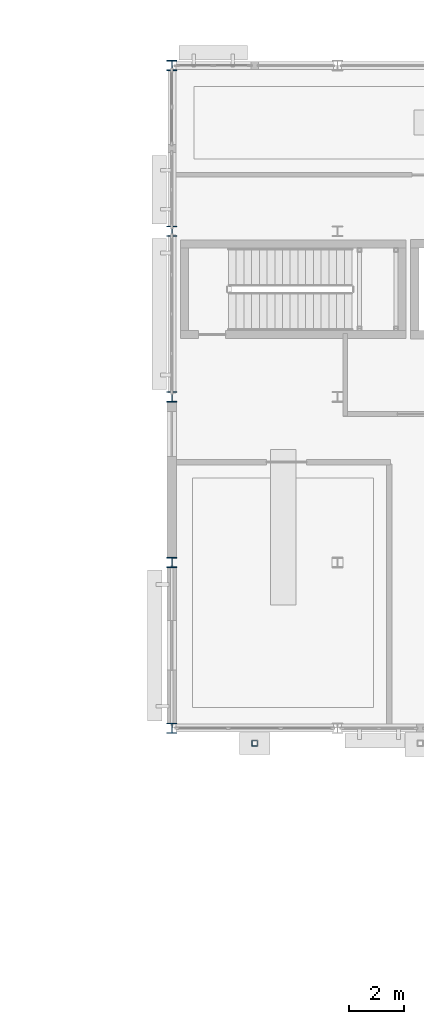
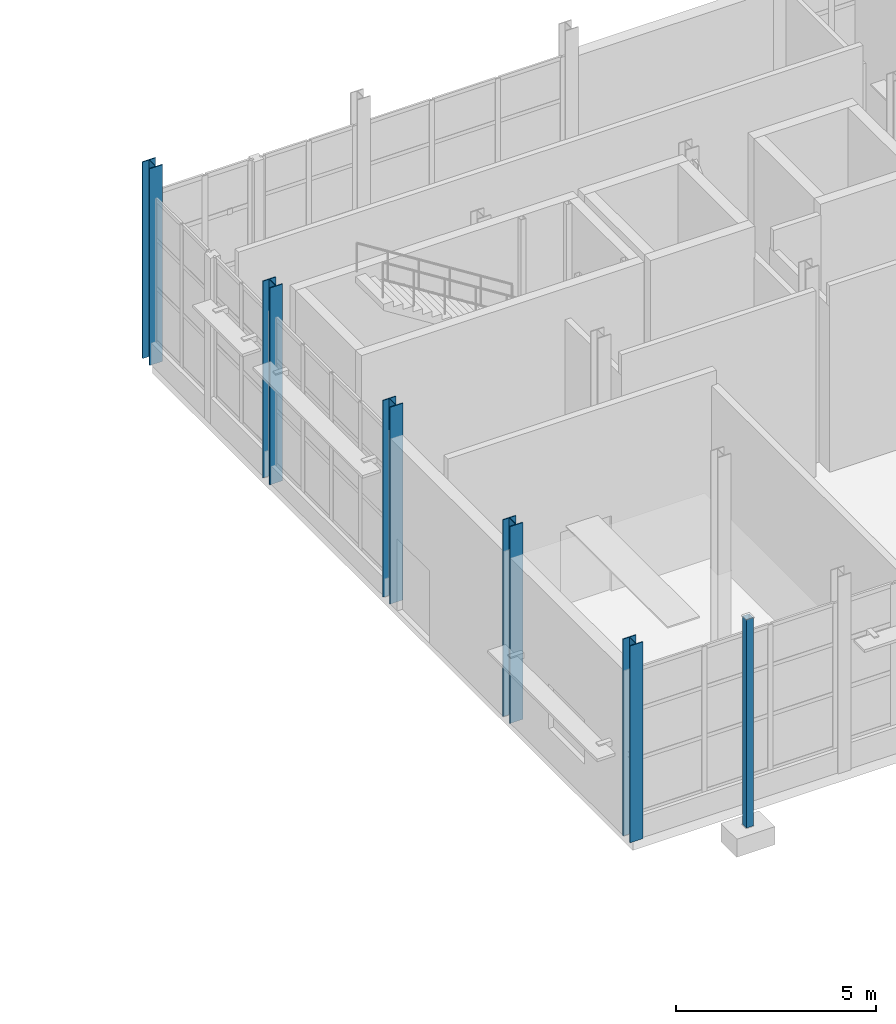
# One storey, part 23 of 120: 6 columns.
"""IFC4 building model written with IfcOpenShell, lengths in metres."""

from ifc_helpers import new_model, si_unit, direction, frame, origin, origin_2d, place, context, subcontext, project, spatial, hollow_rectangle, i_section, extrude, material, material_profile, profile_set, type_object, element, save


model = new_model("IFC4")

# Units and contexts
model_context = context("Model", 3, precision=1e-05, world=origin(), true_north=direction((0.0, 1.0)))
body_context = subcontext(model_context, "Body", "Model", "MODEL_VIEW")
ifc_project = project(units=[si_unit("LENGTHUNIT", "METRE"), si_unit("AREAUNIT", "SQUARE_METRE"), si_unit("VOLUMEUNIT", "CUBIC_METRE"), si_unit("PLANEANGLEUNIT", "RADIAN"), si_unit("MASSUNIT", "GRAM", prefix="KILO")], contexts=[model_context])

# Site, building, storey
site_placement = place(None, origin())
site = spatial("IfcSite", under=ifc_project, at=site_placement, CompositionType="ELEMENT")
building_placement = place(site_placement, origin())
building = spatial("IfcBuilding", under=site, at=building_placement, Name="Siltcreek Boulevard Central Fire Station", CompositionType="ELEMENT")
storey_placement = place(building_placement, origin())
storey = spatial("IfcBuildingStorey", under=building, at=storey_placement, Name="L01", CompositionType="ELEMENT", Elevation=0.0)

# Columns
ifc_material_1 = material(Name="Structural steel ASTM A992 Gr50", Category="steel")
ifc_material_profile_1 = material_profile(ifc_material_1, i_section(OverallWidth=0.3740234375, OverallDepth=0.3720703125, WebThickness=0.016357421875, FlangeThickness=0.026123046875, at=origin_2d()), Name="W360X196")
ifc_profile_set_1 = profile_set([ifc_material_profile_1], Name="Structural steel ASTM A992 Gr50")
column_type_1 = type_object("IfcColumnType", Name="COL_W360X196", PredefinedType="COLUMN", material=ifc_profile_set_1)
for number, where, z_axis, x_axis, name in (
    (1, (124.199951171875, 88.199951171875, 0.0), (0.0, 0.0, 1.0), (1.0, 0.0, 0.0), "L01 structural column COLG-L01-1242-882"),
    (2, (124.199951171875, 94.199951171875, 0.0), (0.0, 0.0, 1.0), (1.0, 0.0, 0.0), "L01 structural column COLG-L01-1242-942"),
    (3, (124.199951171875, 100.199951171875, 0.0), (0.0, 0.0, 1.0), (1.0, 0.0, 0.0), "L01 structural column COLG-L01-1242-1002"),
    (4, (124.199951171875, 106.199951171875, 0.0), (0.0, 0.0, 1.0), (1.0, 0.0, 0.0), "L01 structural column COLG-L01-1242-1062"),
    (5, (124.199951171875, 112.199951171875, 0.0), (0.0, 0.0, 1.0), (1.0, 0.0, 0.0), "L01 structural column COLG-L01-1242-1122"),
):
    element("IfcColumn", number, at=place(storey_placement, frame(where, z_axis=z_axis, x_axis=x_axis)), inside=storey, type_object=column_type_1, Name=name, PredefinedType="COLUMN", context=body_context, shape_type="SweptSolid", body=[
        extrude(i_section(OverallWidth=0.3740234375, OverallDepth=0.3720703125, WebThickness=0.016357421875, FlangeThickness=0.026123046875, at=origin_2d()), origin(), (0.0, 0.0, 1.0), 6.0),
    ])
ifc_material_2 = material(Name="Structural steel ASTM A500 GrC", Category="steel")
ifc_material_profile_2 = material_profile(ifc_material_2, hollow_rectangle(XDim=0.199951171875, YDim=0.199951171875, WallThickness=0.009521484375, at=origin_2d()), Name="HSS200X200X9.5")
ifc_profile_set_2 = profile_set([ifc_material_profile_2], Name="Structural steel ASTM A500 GrC")
column_type_2 = type_object("IfcColumnType", Name="PIL_HSS200X200", PredefinedType="PILASTER", material=ifc_profile_set_2)
column_placement = place(storey_placement, frame((127.199951171875, 87.64990234375, -0.35009765625), z_axis=(0.0, 0.0, 1.0), x_axis=(1.0, 0.0, 0.0)))
element("IfcColumn", 6, at=column_placement, inside=storey, type_object=column_type_2, Name="Terracotta pier pilaster column PL-16", PredefinedType="PILASTER", context=body_context, shape_type="SweptSolid", body=[
    extrude(hollow_rectangle(XDim=0.199951171875, YDim=0.199951171875, WallThickness=0.009521484375, at=origin_2d()), origin(), (0.0, 0.0, 1.0), 6.35009765625),
])

save(model, "model.ifc")
